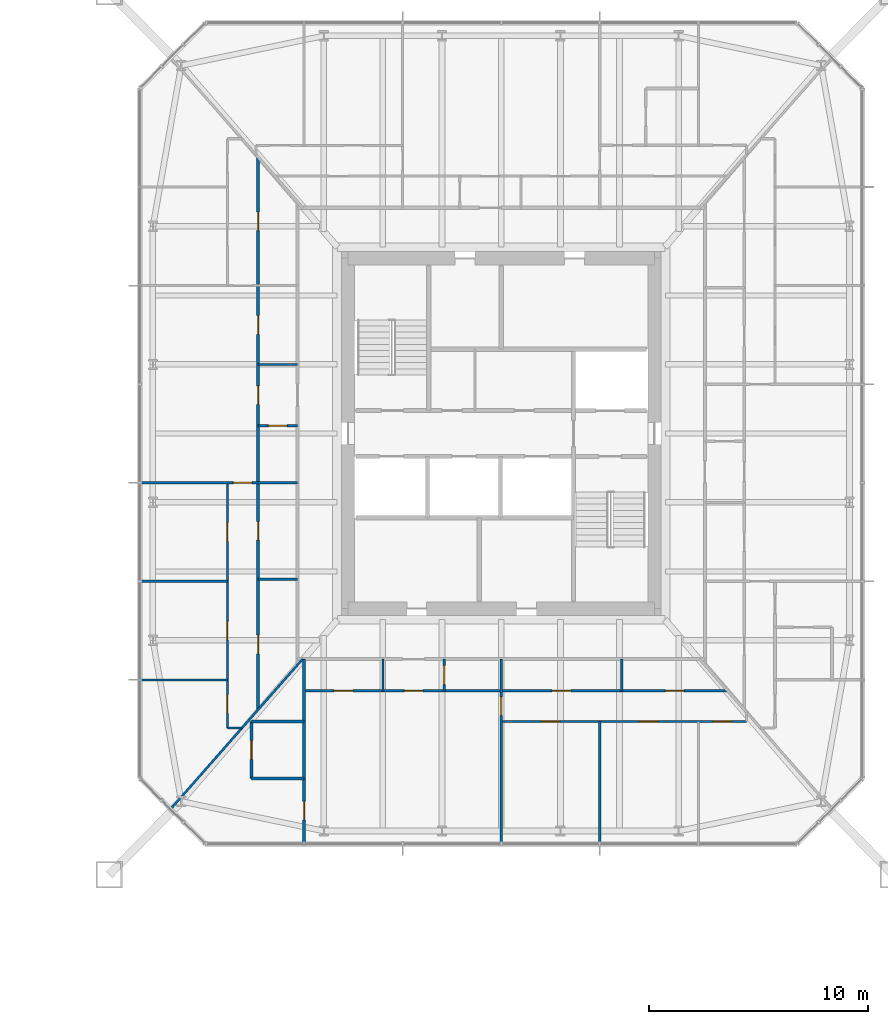
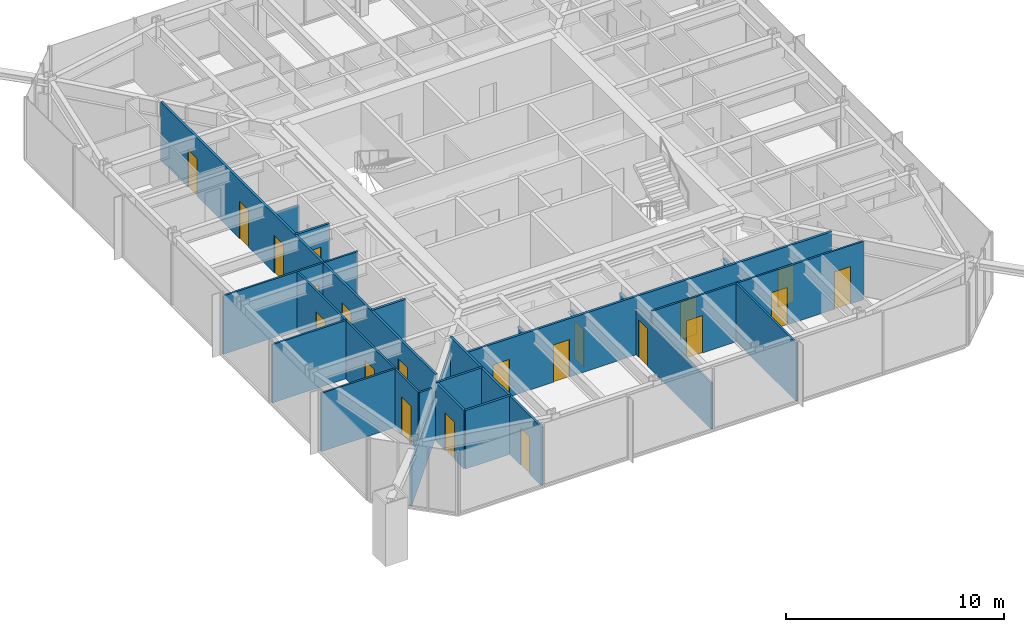
# One storey, part 18 of 26: 21 doors, 21 walls, 21 openings.
"""IFC4 building model written with IfcOpenShell, lengths in metres."""

from ifc_helpers import new_model, si_unit, direction, frame, frame_2d, origin, place, context, subcontext, project, spatial, rectangle, extrude, material, layer, layer_set, type_object, element, fill, save


model = new_model("IFC4")

# Units and contexts
model_context = context("Model", 3, precision=1e-05, world=origin(), true_north=direction((0.0, 1.0)))
body_context = subcontext(model_context, "Body", "Model", "MODEL_VIEW")
ifc_project = project(units=[si_unit("LENGTHUNIT", "METRE"), si_unit("AREAUNIT", "SQUARE_METRE"), si_unit("VOLUMEUNIT", "CUBIC_METRE"), si_unit("PLANEANGLEUNIT", "RADIAN"), si_unit("MASSUNIT", "GRAM", prefix="KILO")], contexts=[model_context])

# Site, building, storey
site_placement = place(None, origin())
site = spatial("IfcSite", under=ifc_project, at=site_placement, CompositionType="ELEMENT")
building_placement = place(site_placement, origin())
building = spatial("IfcBuilding", under=site, at=building_placement, Name="Iwan Alto Co-Living Towers", CompositionType="ELEMENT")
storey_placement = place(building_placement, frame((0.0, 0.0, 32.5)))
storey = spatial("IfcBuildingStorey", under=building, at=storey_placement, Name="L08", CompositionType="ELEMENT", Elevation=32.5)

# Wall
ifc_material_1 = material(Name="Gypsum board")
ifc_layer_1 = layer(ifc_material_1, 0.012451171875, Name="Board", Category="Finish")
ifc_material_2 = material(Name="Steel ASTM A1003 ST33H cold-formed studs", Category="steel")
ifc_layer_2 = layer(ifc_material_2, 0.074951171875, Name="Studs", Category="Framing")
ifc_layer_3 = layer(ifc_material_1, 0.012451171875, Name="Board", Category="Finish")
ifc_layer_set_1 = layer_set([ifc_layer_1, ifc_layer_2, ifc_layer_3], Name="PARTITION 100")
wall_type_1 = type_object("IfcWallType", Name="PARTITION 100", PredefinedType="PARTITIONING", material=ifc_layer_set_1)
wall_1_placement = place(storey_placement, frame((50.5, -13.449951171875, 0.0), z_axis=(0.0, 0.0, 1.0), x_axis=(1.0, 0.0, 0.0)))
element("IfcWall", 1, at=wall_1_placement, inside=storey, type_object=wall_type_1, Name="Partition L08", PredefinedType="PARTITIONING", context=body_context, shape_type="SweptSolid", body=[
    extrude(rectangle(XDim=0.6640625, YDim=0.10009765625, at=frame_2d((0.33203125, 0.0))), origin(), (0.0, 0.0, 1.0), 3.27001953125),
])

# Wall, openings, doors
wall_2_placement = place(storey_placement, frame((63.0, -13.14990234375, 0.0), z_axis=(0.0, 0.0, 1.0), x_axis=(1.0, 0.0, 0.0)))
wall_2 = element("IfcWall", 2, at=wall_2_placement, inside=storey, type_object=wall_type_1, Name="Partition L08", PredefinedType="PARTITIONING", context=body_context, shape_type="SweptSolid", body=[
    extrude(rectangle(XDim=11.199951171875, YDim=0.10009765625, at=frame_2d((5.60009765625, 0.0))), origin(), (0.0, 0.0, 1.0), 3.27001953125),
])
opening_1_placement = place(wall_2_placement, frame((1.824951171875, 0.0, 0.0)))
opening_1 = element("IfcOpeningElement", 3, at=opening_1_placement, cuts=wall_2, Name="Opening D2", PredefinedType="OPENING", context=body_context, shape_type="SweptSolid", body=[
    extrude(rectangle(XDim=0.85009765625, YDim=2.10009765625, at=frame_2d((0.425048828125, 1.050048828125))), frame((0.0, 0.06005859375, 0.0), z_axis=(0.0, -1.0, 0.0), x_axis=(1.0, 0.0, 0.0)), (0.0, 0.0, 1.0), 0.1201171875),
])
opening_2_placement = place(wall_2_placement, frame((6.324951171875, 0.0, 0.0)))
opening_2 = element("IfcOpeningElement", 4, at=opening_2_placement, cuts=wall_2, Name="Opening D2", PredefinedType="OPENING", context=body_context, shape_type="SweptSolid", body=[
    extrude(rectangle(XDim=0.85009765625, YDim=2.10009765625, at=frame_2d((0.425048828125, 1.050048828125))), frame((0.0, 0.06005859375, 0.0), z_axis=(0.0, -1.0, 0.0), x_axis=(1.0, 0.0, 0.0)), (0.0, 0.0, 1.0), 0.1201171875),
])
opening_3_placement = place(wall_2_placement, frame((9.675048828125, 0.0, 0.0)))
opening_3 = element("IfcOpeningElement", 5, at=opening_3_placement, cuts=wall_2, Name="Opening D2", PredefinedType="OPENING", context=body_context, shape_type="SweptSolid", body=[
    extrude(rectangle(XDim=0.85009765625, YDim=2.10009765625, at=frame_2d((0.425048828125, 1.050048828125))), frame((0.0, 0.06005859375, 0.0), z_axis=(0.0, -1.0, 0.0), x_axis=(1.0, 0.0, 0.0)), (0.0, 0.0, 1.0), 0.1201171875),
])
ifc_material_3 = material(Name="Timber leaf in steel frame", Category="steel")
door_type = type_object("IfcDoorType", Name="ROOM DOOR 850X2100", OperationType="SINGLE_SWING_LEFT", PredefinedType="DOOR", material=ifc_material_3)
door_1_placement = place(opening_1_placement, frame((0.85009765625, 0.0, 0.0), z_axis=(0.0, 0.0, 1.0), x_axis=(-1.0, 0.0, 0.0)))
door_1 = element("IfcDoor", 6, at=door_1_placement, inside=storey, type_object=door_type, Name="Bedroom door L08", OperationType="SINGLE_SWING_RIGHT", OverallHeight=2.10009765625, OverallWidth=0.85009765625, PredefinedType="DOOR", context=body_context, shape_type="SweptSolid", body=[
    extrude(rectangle(XDim=0.85009765625, YDim=2.10009765625, at=frame_2d((0.425048828125, 1.050048828125))), frame((0.0, 0.02490234375, 0.0), z_axis=(0.0, -1.0, 0.0), x_axis=(1.0, 0.0, 0.0)), (0.0, 0.0, 1.0), 0.050048828125),
])
fill(opening_1, door_1)
door_2_placement = place(opening_2_placement, frame((0.85009765625, 0.0, 0.0), z_axis=(0.0, 0.0, 1.0), x_axis=(-1.0, 0.0, 0.0)))
door_2 = element("IfcDoor", 7, at=door_2_placement, inside=storey, type_object=door_type, Name="Study door L08", OperationType="SINGLE_SWING_RIGHT", OverallHeight=2.10009765625, OverallWidth=0.85009765625, PredefinedType="DOOR", context=body_context, shape_type="SweptSolid", body=[
    extrude(rectangle(XDim=0.85009765625, YDim=2.10009765625, at=frame_2d((0.425048828125, 1.050048828125))), frame((0.0, 0.02490234375, 0.0), z_axis=(0.0, -1.0, 0.0), x_axis=(1.0, 0.0, 0.0)), (0.0, 0.0, 1.0), 0.050048828125),
])
fill(opening_2, door_2)
door_3_placement = place(opening_3_placement, frame((0.85009765625, 0.0, 0.0), z_axis=(0.0, 0.0, 1.0), x_axis=(-1.0, 0.0, 0.0)))
door_3 = element("IfcDoor", 8, at=door_3_placement, inside=storey, type_object=door_type, Name="Bedroom door L08", OperationType="SINGLE_SWING_RIGHT", OverallHeight=2.10009765625, OverallWidth=0.85009765625, PredefinedType="DOOR", context=body_context, shape_type="SweptSolid", body=[
    extrude(rectangle(XDim=0.85009765625, YDim=2.10009765625, at=frame_2d((0.425048828125, 1.050048828125))), frame((0.0, 0.02490234375, 0.0), z_axis=(0.0, -1.0, 0.0), x_axis=(1.0, 0.0, 0.0)), (0.0, 0.0, 1.0), 0.050048828125),
])
fill(opening_3, door_3)

# Walls
for number, where, z_axis, x_axis, name in (
    (9, (46.56005859375, -11.25, 0.0), (0.0, 0.0, 1.0), (1.0, 0.0, 0.0), "Partition L08"),
    (10, (46.56005859375, -6.75, 0.0), (0.0, 0.0, 1.0), (1.0, 0.0, 0.0), "Partition L08"),
):
    element("IfcWall", number, at=place(storey_placement, frame(where, z_axis=z_axis, x_axis=x_axis)), inside=storey, type_object=wall_type_1, Name=name, PredefinedType="PARTITIONING", context=body_context, shape_type="SweptSolid", body=[
        extrude(rectangle(XDim=3.93994140625, YDim=0.10009765625, at=frame_2d((1.969970703125, 0.0))), origin(), (0.0, 0.0, 1.0), 3.27001953125),
    ])

# Wall, opening, door
wall_3_placement = place(storey_placement, frame((46.56005859375, -2.25, 0.0), z_axis=(0.0, 0.0, 1.0), x_axis=(1.0, 0.0, 0.0)))
wall_3 = element("IfcWall", 11, at=wall_3_placement, inside=storey, type_object=wall_type_1, Name="Partition L08", PredefinedType="PARTITIONING", context=body_context, shape_type="SweptSolid", body=[
    extrude(rectangle(XDim=7.139892578125, YDim=0.10009765625, at=frame_2d((3.56982421875, 0.0))), origin(), (0.0, 0.0, 1.0), 3.27001953125),
])
opening_4_placement = place(wall_3_placement, frame((4.215087890625, 0.0, 0.0)))
opening_4 = element("IfcOpeningElement", 12, at=opening_4_placement, cuts=wall_3, Name="Opening D2", PredefinedType="OPENING", context=body_context, shape_type="SweptSolid", body=[
    extrude(rectangle(XDim=0.85009765625, YDim=2.10009765625, at=frame_2d((0.425048828125, 1.050048828125))), frame((0.0, 0.06005859375, 0.0), z_axis=(0.0, -1.0, 0.0), x_axis=(1.0, 0.0, 0.0)), (0.0, 0.0, 1.0), 0.1201171875),
])
door_4_placement = place(opening_4_placement, origin())
door_4 = element("IfcDoor", 13, at=door_4_placement, inside=storey, type_object=door_type, Name="Apartment hall door L08", OperationType="SINGLE_SWING_RIGHT", OverallHeight=2.10009765625, OverallWidth=0.85009765625, PredefinedType="DOOR", context=body_context, shape_type="SweptSolid", body=[
    extrude(rectangle(XDim=0.85009765625, YDim=2.10009765625, at=frame_2d((0.425048828125, 1.050048828125))), frame((0.0, 0.02490234375, 0.0), z_axis=(0.0, -1.0, 0.0), x_axis=(1.0, 0.0, 0.0)), (0.0, 0.0, 1.0), 0.050048828125),
])
fill(opening_4, door_4)

# Walls
wall_4_placement = place(storey_placement, frame((51.89990234375, 3.14990234375, 0.0), z_axis=(0.0, 0.0, 1.0), x_axis=(1.0, 0.0, 0.0)))
element("IfcWall", 14, at=wall_4_placement, inside=storey, type_object=wall_type_1, Name="Partition L08", PredefinedType="PARTITIONING", context=body_context, shape_type="SweptSolid", body=[
    extrude(rectangle(XDim=1.800048828125, YDim=0.10009765625, at=frame_2d((0.89990234375, 0.0))), origin(), (0.0, 0.0, 1.0), 2.586669921875),
])
wall_5_placement = place(storey_placement, frame((47.944091796875, -17.10888671875, 0.0), z_axis=(0.0, 0.0, 1.0), x_axis=(0.660638210404, 0.750704439146, 0.0)))
element("IfcWall", 15, at=wall_5_placement, inside=storey, type_object=wall_type_1, Name="Partition L08", PredefinedType="PARTITIONING", context=body_context, shape_type="SweptSolid", body=[
    extrude(rectangle(XDim=9.06982421875, YDim=0.10009765625, at=frame_2d((4.534912109375, 0.0))), origin(), (0.0, 0.0, 1.0), 2.42919921875),
])
wall_6_placement = place(storey_placement, frame((67.5, -18.68994140625, 0.0), z_axis=(0.0, 0.0, 1.0), x_axis=(0.0, 1.0, 0.0)))
element("IfcWall", 16, at=wall_6_placement, inside=storey, type_object=wall_type_1, Name="Partition L08", PredefinedType="PARTITIONING", context=body_context, shape_type="SweptSolid", body=[
    extrude(rectangle(XDim=5.5400390625, YDim=0.10009765625, at=frame_2d((2.77001953125, 0.0))), origin(), (0.0, 0.0, 1.0), 3.27001953125),
])

# Wall, opening, door
wall_7_placement = place(storey_placement, frame((63.0, -18.68994140625, 0.0), z_axis=(0.0, 0.0, 1.0), x_axis=(0.0, 1.0, 0.0)))
wall_7 = element("IfcWall", 17, at=wall_7_placement, inside=storey, type_object=wall_type_1, Name="Partition L08", PredefinedType="PARTITIONING", context=body_context, shape_type="SweptSolid", body=[
    extrude(rectangle(XDim=8.389892578125, YDim=0.10009765625, at=frame_2d((4.19482421875, 0.0))), origin(), (0.0, 0.0, 1.0), 2.586669921875),
])
opening_5_placement = place(wall_7_placement, frame((5.81494140625, 0.0, 0.0)))
opening_5 = element("IfcOpeningElement", 18, at=opening_5_placement, cuts=wall_7, Name="Opening D2", PredefinedType="OPENING", context=body_context, shape_type="SweptSolid", body=[
    extrude(rectangle(XDim=0.85009765625, YDim=2.10009765625, at=frame_2d((0.425048828125, 1.050048828125))), frame((0.0, 0.06005859375, 0.0), z_axis=(0.0, -1.0, 0.0), x_axis=(1.0, 0.0, 0.0)), (0.0, 0.0, 1.0), 0.1201171875),
])
door_5_placement = place(opening_5_placement, origin())
door_5 = element("IfcDoor", 19, at=door_5_placement, inside=storey, type_object=door_type, Name="Apartment hall door L08", OperationType="SINGLE_SWING_RIGHT", OverallHeight=2.10009765625, OverallWidth=0.85009765625, PredefinedType="DOOR", context=body_context, shape_type="SweptSolid", body=[
    extrude(rectangle(XDim=0.85009765625, YDim=2.10009765625, at=frame_2d((0.425048828125, 1.050048828125))), frame((0.0, 0.02490234375, 0.0), z_axis=(0.0, -1.0, 0.0), x_axis=(1.0, 0.0, 0.0)), (0.0, 0.0, 1.0), 0.050048828125),
])
fill(opening_5, door_5)

# Wall
wall_8_placement = place(storey_placement, frame((57.60009765625, -11.75, 0.0), z_axis=(0.0, 0.0, 1.0), x_axis=(0.0, 1.0, 0.0)))
element("IfcWall", 20, at=wall_8_placement, inside=storey, type_object=wall_type_1, Name="Partition L08", PredefinedType="PARTITIONING", context=body_context, shape_type="SweptSolid", body=[
    extrude(rectangle(XDim=1.449951171875, YDim=0.10009765625, at=frame_2d((0.72509765625, 0.0))), origin(), (0.0, 0.0, 1.0), 2.586669921875),
])

# Wall, openings, doors
wall_9_placement = place(storey_placement, frame((50.5, -13.449951171875, 0.0), z_axis=(0.0, 0.0, 1.0), x_axis=(0.0, 1.0, 0.0)))
wall_9 = element("IfcWall", 21, at=wall_9_placement, inside=storey, type_object=wall_type_1, Name="Partition L08", PredefinedType="PARTITIONING", context=body_context, shape_type="SweptSolid", body=[
    extrude(rectangle(XDim=11.199951171875, YDim=0.10009765625, at=frame_2d((5.60009765625, 0.0))), origin(), (0.0, 0.0, 1.0), 3.27001953125),
])
opening_6_placement = place(wall_9_placement, frame((8.52490234375, 0.0, 0.0)))
opening_6 = element("IfcOpeningElement", 22, at=opening_6_placement, cuts=wall_9, Name="Opening D2", PredefinedType="OPENING", context=body_context, shape_type="SweptSolid", body=[
    extrude(rectangle(XDim=0.85009765625, YDim=2.10009765625, at=frame_2d((0.425048828125, 1.050048828125))), frame((0.0, 0.06005859375, 0.0), z_axis=(0.0, -1.0, 0.0), x_axis=(1.0, 0.0, 0.0)), (0.0, 0.0, 1.0), 0.1201171875),
])
opening_7_placement = place(wall_9_placement, frame((4.02490234375, 0.0, 0.0)))
opening_7 = element("IfcOpeningElement", 23, at=opening_7_placement, cuts=wall_9, Name="Opening D2", PredefinedType="OPENING", context=body_context, shape_type="SweptSolid", body=[
    extrude(rectangle(XDim=0.85009765625, YDim=2.10009765625, at=frame_2d((0.425048828125, 1.050048828125))), frame((0.0, 0.06005859375, 0.0), z_axis=(0.0, -1.0, 0.0), x_axis=(1.0, 0.0, 0.0)), (0.0, 0.0, 1.0), 0.1201171875),
])
opening_8_placement = place(wall_9_placement, frame((0.675048828125, 0.0, 0.0)))
opening_8 = element("IfcOpeningElement", 24, at=opening_8_placement, cuts=wall_9, Name="Opening D2", PredefinedType="OPENING", context=body_context, shape_type="SweptSolid", body=[
    extrude(rectangle(XDim=0.85009765625, YDim=2.10009765625, at=frame_2d((0.425048828125, 1.050048828125))), frame((0.0, 0.06005859375, 0.0), z_axis=(0.0, -1.0, 0.0), x_axis=(1.0, 0.0, 0.0)), (0.0, 0.0, 1.0), 0.1201171875),
])
door_6_placement = place(opening_6_placement, origin())
door_6 = element("IfcDoor", 25, at=door_6_placement, inside=storey, type_object=door_type, Name="Family room door L08", OperationType="SINGLE_SWING_LEFT", OverallHeight=2.10009765625, OverallWidth=0.85009765625, PredefinedType="DOOR", context=body_context, shape_type="SweptSolid", body=[
    extrude(rectangle(XDim=0.85009765625, YDim=2.10009765625, at=frame_2d((0.425048828125, 1.050048828125))), frame((0.0, 0.02490234375, 0.0), z_axis=(0.0, -1.0, 0.0), x_axis=(1.0, 0.0, 0.0)), (0.0, 0.0, 1.0), 0.050048828125),
])
fill(opening_6, door_6)
door_7_placement = place(opening_7_placement, origin())
door_7 = element("IfcDoor", 26, at=door_7_placement, inside=storey, type_object=door_type, Name="Bedroom door L08", OperationType="SINGLE_SWING_LEFT", OverallHeight=2.10009765625, OverallWidth=0.85009765625, PredefinedType="DOOR", context=body_context, shape_type="SweptSolid", body=[
    extrude(rectangle(XDim=0.85009765625, YDim=2.10009765625, at=frame_2d((0.425048828125, 1.050048828125))), frame((0.0, 0.02490234375, 0.0), z_axis=(0.0, -1.0, 0.0), x_axis=(1.0, 0.0, 0.0)), (0.0, 0.0, 1.0), 0.050048828125),
])
fill(opening_7, door_7)
door_8_placement = place(opening_8_placement, origin())
door_8 = element("IfcDoor", 27, at=door_8_placement, inside=storey, type_object=door_type, Name="Bedroom door L08", OperationType="SINGLE_SWING_RIGHT", OverallHeight=2.10009765625, OverallWidth=0.85009765625, PredefinedType="DOOR", context=body_context, shape_type="SweptSolid", body=[
    extrude(rectangle(XDim=0.85009765625, YDim=2.10009765625, at=frame_2d((0.425048828125, 1.050048828125))), frame((0.0, 0.02490234375, 0.0), z_axis=(0.0, -1.0, 0.0), x_axis=(1.0, 0.0, 0.0)), (0.0, 0.0, 1.0), 0.050048828125),
])
fill(opening_8, door_8)

# Walls
ifc_material_4 = material(Name="Cement board")
ifc_layer_4 = layer(ifc_material_4, 0.012451171875, Name="Board", Category="Finish")
ifc_layer_5 = layer(ifc_material_2, 0.094970703125, Name="Studs", Category="Framing")
ifc_layer_6 = layer(ifc_material_4, 0.012451171875, Name="Board", Category="Finish")
ifc_layer_set_2 = layer_set([ifc_layer_4, ifc_layer_5, ifc_layer_6], Name="WET AREA PARTITION 120")
wall_type_2 = type_object("IfcWallType", Name="WET AREA PARTITION 120", PredefinedType="PARTITIONING", material=ifc_layer_set_2)
for number, where, z_axis, x_axis, name in (
    (28, (51.60009765625, -15.75, 0.0), (0.0, 0.0, 1.0), (1.0, 0.0, 0.0), "Partition L08"),
    (29, (51.60009765625, -13.14990234375, 0.0), (0.0, 0.0, 1.0), (1.0, 0.0, 0.0), "Partition L08"),
):
    element("IfcWall", number, at=place(storey_placement, frame(where, z_axis=z_axis, x_axis=x_axis)), inside=storey, type_object=wall_type_2, Name=name, PredefinedType="PARTITIONING", context=body_context, shape_type="SweptSolid", body=[
        extrude(rectangle(XDim=2.39990234375, YDim=0.1201171875, at=frame_2d((1.199951171875, 0.0))), origin(), (0.0, 0.0, 1.0), 3.27001953125),
    ])

# Wall, openings, doors
wall_10_placement = place(storey_placement, frame((54.0, -11.75, 0.0), z_axis=(0.0, 0.0, 1.0), x_axis=(1.0, 0.0, 0.0)))
wall_10 = element("IfcWall", 30, at=wall_10_placement, inside=storey, type_object=wall_type_2, Name="Partition L08", PredefinedType="PARTITIONING", context=body_context, shape_type="SweptSolid", body=[
    extrude(rectangle(XDim=19.340087890625, YDim=0.1201171875, at=frame_2d((9.669921875, 0.0))), origin(), (0.0, 0.0, 1.0), 3.27001953125),
])
opening_9_placement = place(wall_10_placement, frame((1.375, 0.0, 0.0)))
opening_9 = element("IfcOpeningElement", 31, at=opening_9_placement, cuts=wall_10, Name="Opening D2", PredefinedType="OPENING", context=body_context, shape_type="SweptSolid", body=[
    extrude(rectangle(XDim=0.85009765625, YDim=2.10009765625, at=frame_2d((0.425048828125, 1.050048828125))), frame((0.0, 0.070068359375, 0.0), z_axis=(0.0, -1.0, 0.0), x_axis=(1.0, 0.0, 0.0)), (0.0, 0.0, 1.0), 0.14013671875),
])
opening_10_placement = place(wall_10_placement, frame((4.574951171875, 0.0, 0.0)))
opening_10 = element("IfcOpeningElement", 32, at=opening_10_placement, cuts=wall_10, Name="Opening D2", PredefinedType="OPENING", context=body_context, shape_type="SweptSolid", body=[
    extrude(rectangle(XDim=0.85009765625, YDim=2.10009765625, at=frame_2d((0.425048828125, 1.050048828125))), frame((0.0, 0.070068359375, 0.0), z_axis=(0.0, -1.0, 0.0), x_axis=(1.0, 0.0, 0.0)), (0.0, 0.0, 1.0), 0.14013671875),
])
opening_11_placement = place(wall_10_placement, frame((11.324951171875, 0.0, 0.0)))
opening_11 = element("IfcOpeningElement", 33, at=opening_11_placement, cuts=wall_10, Name="Opening D2", PredefinedType="OPENING", context=body_context, shape_type="SweptSolid", body=[
    extrude(rectangle(XDim=0.85009765625, YDim=2.10009765625, at=frame_2d((0.425048828125, 1.050048828125))), frame((0.0, 0.070068359375, 0.0), z_axis=(0.0, -1.0, 0.0), x_axis=(1.0, 0.0, 0.0)), (0.0, 0.0, 1.0), 0.14013671875),
])
opening_12_placement = place(wall_10_placement, frame((16.4951171875, 0.0, 0.0)))
opening_12 = element("IfcOpeningElement", 34, at=opening_12_placement, cuts=wall_10, Name="Opening D2", PredefinedType="OPENING", context=body_context, shape_type="SweptSolid", body=[
    extrude(rectangle(XDim=0.85009765625, YDim=2.10009765625, at=frame_2d((0.425048828125, 1.050048828125))), frame((0.0, 0.070068359375, 0.0), z_axis=(0.0, -1.0, 0.0), x_axis=(1.0, 0.0, 0.0)), (0.0, 0.0, 1.0), 0.14013671875),
])
door_9_placement = place(opening_9_placement, frame((0.85009765625, 0.0, 0.0), z_axis=(0.0, 0.0, 1.0), x_axis=(-1.0, 0.0, 0.0)))
door_9 = element("IfcDoor", 35, at=door_9_placement, inside=storey, type_object=door_type, Name="Kitchen door L08", OperationType="SINGLE_SWING_RIGHT", OverallHeight=2.10009765625, OverallWidth=0.85009765625, PredefinedType="DOOR", context=body_context, shape_type="SweptSolid", body=[
    extrude(rectangle(XDim=0.85009765625, YDim=2.10009765625, at=frame_2d((0.425048828125, 1.050048828125))), frame((0.0, 0.02490234375, 0.0), z_axis=(0.0, -1.0, 0.0), x_axis=(1.0, 0.0, 0.0)), (0.0, 0.0, 1.0), 0.050048828125),
])
fill(opening_9, door_9)
door_10_placement = place(opening_10_placement, frame((0.85009765625, 0.0, 0.0), z_axis=(0.0, 0.0, 1.0), x_axis=(-1.0, 0.0, 0.0)))
door_10 = element("IfcDoor", 36, at=door_10_placement, inside=storey, type_object=door_type, Name="Apartment foyer door L08", OperationType="SINGLE_SWING_LEFT", OverallHeight=2.10009765625, OverallWidth=0.85009765625, PredefinedType="DOOR", context=body_context, shape_type="SweptSolid", body=[
    extrude(rectangle(XDim=0.85009765625, YDim=2.10009765625, at=frame_2d((0.425048828125, 1.050048828125))), frame((0.0, 0.02490234375, 0.0), z_axis=(0.0, -1.0, 0.0), x_axis=(1.0, 0.0, 0.0)), (0.0, 0.0, 1.0), 0.050048828125),
])
fill(opening_10, door_10)
door_11_placement = place(opening_11_placement, origin())
door_11 = element("IfcDoor", 37, at=door_11_placement, inside=storey, type_object=door_type, Name="Utility room door L08", OperationType="SINGLE_SWING_LEFT", OverallHeight=2.10009765625, OverallWidth=0.85009765625, PredefinedType="DOOR", context=body_context, shape_type="SweptSolid", body=[
    extrude(rectangle(XDim=0.85009765625, YDim=2.10009765625, at=frame_2d((0.425048828125, 1.050048828125))), frame((0.0, 0.02490234375, 0.0), z_axis=(0.0, -1.0, 0.0), x_axis=(1.0, 0.0, 0.0)), (0.0, 0.0, 1.0), 0.050048828125),
])
fill(opening_11, door_11)
door_12_placement = place(opening_12_placement, origin())
door_12 = element("IfcDoor", 38, at=door_12_placement, inside=storey, type_object=door_type, Name="Store room door L08", OperationType="SINGLE_SWING_RIGHT", OverallHeight=2.10009765625, OverallWidth=0.85009765625, PredefinedType="DOOR", context=body_context, shape_type="SweptSolid", body=[
    extrude(rectangle(XDim=0.85009765625, YDim=2.10009765625, at=frame_2d((0.425048828125, 1.050048828125))), frame((0.0, 0.02490234375, 0.0), z_axis=(0.0, -1.0, 0.0), x_axis=(1.0, 0.0, 0.0)), (0.0, 0.0, 1.0), 0.050048828125),
])
fill(opening_12, door_12)

# Wall
wall_11_placement = place(storey_placement, frame((51.89990234375, -6.64990234375, 0.0), z_axis=(0.0, 0.0, 1.0), x_axis=(1.0, 0.0, 0.0)))
element("IfcWall", 39, at=wall_11_placement, inside=storey, type_object=wall_type_2, Name="Partition L08", PredefinedType="PARTITIONING", context=body_context, shape_type="SweptSolid", body=[
    extrude(rectangle(XDim=1.800048828125, YDim=0.1201171875, at=frame_2d((0.89990234375, 0.0))), origin(), (0.0, 0.0, 1.0), 3.27001953125),
])

# Wall, opening, door
wall_12_placement = place(storey_placement, frame((51.89990234375, 0.35009765625, 0.0), z_axis=(0.0, 0.0, 1.0), x_axis=(1.0, 0.0, 0.0)))
wall_12 = element("IfcWall", 40, at=wall_12_placement, inside=storey, type_object=wall_type_2, Name="Partition L08", PredefinedType="PARTITIONING", context=body_context, shape_type="SweptSolid", body=[
    extrude(rectangle(XDim=1.800048828125, YDim=0.1201171875, at=frame_2d((0.89990234375, 0.0))), origin(), (0.0, 0.0, 1.0), 3.27001953125),
])
opening_13_placement = place(wall_12_placement, frame((0.47509765625, 0.0, 0.0)))
opening_13 = element("IfcOpeningElement", 41, at=opening_13_placement, cuts=wall_12, Name="Opening D2", PredefinedType="OPENING", context=body_context, shape_type="SweptSolid", body=[
    extrude(rectangle(XDim=0.85009765625, YDim=2.10009765625, at=frame_2d((0.425048828125, 1.050048828125))), frame((0.0, 0.070068359375, 0.0), z_axis=(0.0, -1.0, 0.0), x_axis=(1.0, 0.0, 0.0)), (0.0, 0.0, 1.0), 0.14013671875),
])
door_13_placement = place(opening_13_placement, frame((0.85009765625, 0.0, 0.0), z_axis=(0.0, 0.0, 1.0), x_axis=(-1.0, 0.0, 0.0)))
door_13 = element("IfcDoor", 42, at=door_13_placement, inside=storey, type_object=door_type, Name="Bathroom door L08", OperationType="SINGLE_SWING_RIGHT", OverallHeight=2.10009765625, OverallWidth=0.85009765625, PredefinedType="DOOR", context=body_context, shape_type="SweptSolid", body=[
    extrude(rectangle(XDim=0.85009765625, YDim=2.10009765625, at=frame_2d((0.425048828125, 1.050048828125))), frame((0.0, 0.02490234375, 0.0), z_axis=(0.0, -1.0, 0.0), x_axis=(1.0, 0.0, 0.0)), (0.0, 0.0, 1.0), 0.050048828125),
])
fill(opening_13, door_13)

# Wall
wall_13_placement = place(storey_placement, frame((68.5, -11.75, 0.0), z_axis=(0.0, 0.0, 1.0), x_axis=(0.0, 1.0, 0.0)))
element("IfcWall", 43, at=wall_13_placement, inside=storey, type_object=wall_type_2, Name="Partition L08", PredefinedType="PARTITIONING", context=body_context, shape_type="SweptSolid", body=[
    extrude(rectangle(XDim=1.449951171875, YDim=0.1201171875, at=frame_2d((0.72509765625, 0.0))), origin(), (0.0, 0.0, 1.0), 2.586669921875),
])

# Wall, opening, door
wall_14_placement = place(storey_placement, frame((60.39990234375, -11.75, 0.0), z_axis=(0.0, 0.0, 1.0), x_axis=(0.0, 1.0, 0.0)))
wall_14 = element("IfcWall", 44, at=wall_14_placement, inside=storey, type_object=wall_type_2, Name="Partition L08", PredefinedType="PARTITIONING", context=body_context, shape_type="SweptSolid", body=[
    extrude(rectangle(XDim=1.449951171875, YDim=0.1201171875, at=frame_2d((0.72509765625, 0.0))), origin(), (0.0, 0.0, 1.0), 2.508056640625),
])
opening_14_placement = place(wall_14_placement, frame((0.300048828125, 0.0, 0.0)))
opening_14 = element("IfcOpeningElement", 45, at=opening_14_placement, cuts=wall_14, Name="Opening D2", PredefinedType="OPENING", context=body_context, shape_type="SweptSolid", body=[
    extrude(rectangle(XDim=0.85009765625, YDim=2.10009765625, at=frame_2d((0.425048828125, 1.050048828125))), frame((0.0, 0.070068359375, 0.0), z_axis=(0.0, -1.0, 0.0), x_axis=(1.0, 0.0, 0.0)), (0.0, 0.0, 1.0), 0.14013671875),
])
door_14_placement = place(opening_14_placement, frame((0.85009765625, 0.0, 0.0), z_axis=(0.0, 0.0, 1.0), x_axis=(-1.0, 0.0, 0.0)))
door_14 = element("IfcDoor", 46, at=door_14_placement, inside=storey, type_object=door_type, Name="Shower room door L08", OperationType="SINGLE_SWING_RIGHT", OverallHeight=2.10009765625, OverallWidth=0.85009765625, PredefinedType="DOOR", context=body_context, shape_type="SweptSolid", body=[
    extrude(rectangle(XDim=0.85009765625, YDim=2.10009765625, at=frame_2d((0.425048828125, 1.050048828125))), frame((0.0, 0.02490234375, 0.0), z_axis=(0.0, -1.0, 0.0), x_axis=(1.0, 0.0, 0.0)), (0.0, 0.0, 1.0), 0.050048828125),
])
fill(opening_14, door_14)

wall_15_placement = place(storey_placement, frame((54.0, -18.68994140625, 0.0), z_axis=(0.0, 0.0, 1.0), x_axis=(0.0, 1.0, 0.0)))
wall_15 = element("IfcWall", 47, at=wall_15_placement, inside=storey, type_object=wall_type_2, Name="Partition L08", PredefinedType="PARTITIONING", context=body_context, shape_type="SweptSolid", body=[
    extrude(rectangle(XDim=8.389892578125, YDim=0.1201171875, at=frame_2d((4.19482421875, 0.0))), origin(), (0.0, 0.0, 1.0), 3.27001953125),
])
opening_15_placement = place(wall_15_placement, frame((1.044921875, 0.0, 0.0)))
opening_15 = element("IfcOpeningElement", 48, at=opening_15_placement, cuts=wall_15, Name="Opening D2", PredefinedType="OPENING", context=body_context, shape_type="SweptSolid", body=[
    extrude(rectangle(XDim=0.85009765625, YDim=2.10009765625, at=frame_2d((0.425048828125, 1.050048828125))), frame((0.0, 0.070068359375, 0.0), z_axis=(0.0, -1.0, 0.0), x_axis=(1.0, 0.0, 0.0)), (0.0, 0.0, 1.0), 0.14013671875),
])
door_15_placement = place(opening_15_placement, frame((0.85009765625, 0.0, 0.0), z_axis=(0.0, 0.0, 1.0), x_axis=(-1.0, 0.0, 0.0)))
door_15 = element("IfcDoor", 49, at=door_15_placement, inside=storey, type_object=door_type, Name="Bedroom door L08", OperationType="SINGLE_SWING_RIGHT", OverallHeight=2.10009765625, OverallWidth=0.85009765625, PredefinedType="DOOR", context=body_context, shape_type="SweptSolid", body=[
    extrude(rectangle(XDim=0.85009765625, YDim=2.10009765625, at=frame_2d((0.425048828125, 1.050048828125))), frame((0.0, 0.02490234375, 0.0), z_axis=(0.0, -1.0, 0.0), x_axis=(1.0, 0.0, 0.0)), (0.0, 0.0, 1.0), 0.050048828125),
])
fill(opening_15, door_15)

# Wall, openings, doors
wall_16_placement = place(storey_placement, frame((51.89990234375, -12.614013671875, 0.0), z_axis=(0.0, 0.0, 1.0), x_axis=(0.0, 1.0, 0.0)))
wall_16 = element("IfcWall", 50, at=wall_16_placement, inside=storey, type_object=wall_type_2, Name="Partition L08", PredefinedType="PARTITIONING", context=body_context, shape_type="SweptSolid", body=[
    extrude(rectangle(XDim=25.22802734375, YDim=0.1201171875, at=frame_2d((12.614013671875, 0.0))), origin(), (0.0, 0.0, 1.0), 3.27001953125),
])
opening_16_placement = place(wall_16_placement, frame((17.138916015625, 0.0, 0.0)))
opening_16 = element("IfcOpeningElement", 51, at=opening_16_placement, cuts=wall_16, Name="Opening D2", PredefinedType="OPENING", context=body_context, shape_type="SweptSolid", body=[
    extrude(rectangle(XDim=0.85009765625, YDim=2.10009765625, at=frame_2d((0.425048828125, 1.050048828125))), frame((0.0, 0.070068359375, 0.0), z_axis=(0.0, -1.0, 0.0), x_axis=(1.0, 0.0, 0.0)), (0.0, 0.0, 1.0), 0.14013671875),
])
opening_17_placement = place(wall_16_placement, frame((13.93896484375, 0.0, 0.0)))
opening_17 = element("IfcOpeningElement", 52, at=opening_17_placement, cuts=wall_16, Name="Opening D2", PredefinedType="OPENING", context=body_context, shape_type="SweptSolid", body=[
    extrude(rectangle(XDim=0.85009765625, YDim=2.10009765625, at=frame_2d((0.425048828125, 1.050048828125))), frame((0.0, 0.070068359375, 0.0), z_axis=(0.0, -1.0, 0.0), x_axis=(1.0, 0.0, 0.0)), (0.0, 0.0, 1.0), 0.14013671875),
])
opening_18_placement = place(wall_16_placement, frame((21.87109375, 0.0, 0.0)))
opening_18 = element("IfcOpeningElement", 53, at=opening_18_placement, cuts=wall_16, Name="Opening D2", PredefinedType="OPENING", context=body_context, shape_type="SweptSolid", body=[
    extrude(rectangle(XDim=0.85009765625, YDim=2.10009765625, at=frame_2d((0.425048828125, 1.050048828125))), frame((0.0, 0.070068359375, 0.0), z_axis=(0.0, -1.0, 0.0), x_axis=(1.0, 0.0, 0.0)), (0.0, 0.0, 1.0), 0.14013671875),
])
opening_19_placement = place(wall_16_placement, frame((7.739013671875, 0.0, 0.0)))
opening_19 = element("IfcOpeningElement", 54, at=opening_19_placement, cuts=wall_16, Name="Opening D2", PredefinedType="OPENING", context=body_context, shape_type="SweptSolid", body=[
    extrude(rectangle(XDim=0.85009765625, YDim=2.10009765625, at=frame_2d((0.425048828125, 1.050048828125))), frame((0.0, 0.070068359375, 0.0), z_axis=(0.0, -1.0, 0.0), x_axis=(1.0, 0.0, 0.0)), (0.0, 0.0, 1.0), 0.14013671875),
])
opening_20_placement = place(wall_16_placement, frame((2.556884765625, 0.0, 0.0)))
opening_20 = element("IfcOpeningElement", 55, at=opening_20_placement, cuts=wall_16, Name="Opening D2", PredefinedType="OPENING", context=body_context, shape_type="SweptSolid", body=[
    extrude(rectangle(XDim=0.85009765625, YDim=2.10009765625, at=frame_2d((0.425048828125, 1.050048828125))), frame((0.0, 0.070068359375, 0.0), z_axis=(0.0, -1.0, 0.0), x_axis=(1.0, 0.0, 0.0)), (0.0, 0.0, 1.0), 0.14013671875),
])
door_16_placement = place(opening_16_placement, origin())
door_16 = element("IfcDoor", 56, at=door_16_placement, inside=storey, type_object=door_type, Name="Kitchen door L08", OperationType="SINGLE_SWING_RIGHT", OverallHeight=2.10009765625, OverallWidth=0.85009765625, PredefinedType="DOOR", context=body_context, shape_type="SweptSolid", body=[
    extrude(rectangle(XDim=0.85009765625, YDim=2.10009765625, at=frame_2d((0.425048828125, 1.050048828125))), frame((0.0, 0.02490234375, 0.0), z_axis=(0.0, -1.0, 0.0), x_axis=(1.0, 0.0, 0.0)), (0.0, 0.0, 1.0), 0.050048828125),
])
fill(opening_16, door_16)
door_17_placement = place(opening_17_placement, origin())
door_17 = element("IfcDoor", 57, at=door_17_placement, inside=storey, type_object=door_type, Name="Apartment foyer door L08", OperationType="SINGLE_SWING_LEFT", OverallHeight=2.10009765625, OverallWidth=0.85009765625, PredefinedType="DOOR", context=body_context, shape_type="SweptSolid", body=[
    extrude(rectangle(XDim=0.85009765625, YDim=2.10009765625, at=frame_2d((0.425048828125, 1.050048828125))), frame((0.0, 0.02490234375, 0.0), z_axis=(0.0, -1.0, 0.0), x_axis=(1.0, 0.0, 0.0)), (0.0, 0.0, 1.0), 0.050048828125),
])
fill(opening_17, door_17)
door_18_placement = place(opening_18_placement, frame((0.85009765625, 0.0, 0.0), z_axis=(0.0, 0.0, 1.0), x_axis=(-1.0, 0.0, 0.0)))
door_18 = element("IfcDoor", 58, at=door_18_placement, inside=storey, type_object=door_type, Name="Utility room door L08", OperationType="SINGLE_SWING_LEFT", OverallHeight=2.10009765625, OverallWidth=0.85009765625, PredefinedType="DOOR", context=body_context, shape_type="SweptSolid", body=[
    extrude(rectangle(XDim=0.85009765625, YDim=2.10009765625, at=frame_2d((0.425048828125, 1.050048828125))), frame((0.0, 0.02490234375, 0.0), z_axis=(0.0, -1.0, 0.0), x_axis=(1.0, 0.0, 0.0)), (0.0, 0.0, 1.0), 0.050048828125),
])
fill(opening_18, door_18)
door_19_placement = place(opening_19_placement, frame((0.85009765625, 0.0, 0.0), z_axis=(0.0, 0.0, 1.0), x_axis=(-1.0, 0.0, 0.0)))
door_19 = element("IfcDoor", 59, at=door_19_placement, inside=storey, type_object=door_type, Name="Utility room door L08", OperationType="SINGLE_SWING_RIGHT", OverallHeight=2.10009765625, OverallWidth=0.85009765625, PredefinedType="DOOR", context=body_context, shape_type="SweptSolid", body=[
    extrude(rectangle(XDim=0.85009765625, YDim=2.10009765625, at=frame_2d((0.425048828125, 1.050048828125))), frame((0.0, 0.02490234375, 0.0), z_axis=(0.0, -1.0, 0.0), x_axis=(1.0, 0.0, 0.0)), (0.0, 0.0, 1.0), 0.050048828125),
])
fill(opening_19, door_19)
door_20_placement = place(opening_20_placement, frame((0.85009765625, 0.0, 0.0), z_axis=(0.0, 0.0, 1.0), x_axis=(-1.0, 0.0, 0.0)))
door_20 = element("IfcDoor", 60, at=door_20_placement, inside=storey, type_object=door_type, Name="Store room door L08", OperationType="SINGLE_SWING_RIGHT", OverallHeight=2.10009765625, OverallWidth=0.85009765625, PredefinedType="DOOR", context=body_context, shape_type="SweptSolid", body=[
    extrude(rectangle(XDim=0.85009765625, YDim=2.10009765625, at=frame_2d((0.425048828125, 1.050048828125))), frame((0.0, 0.02490234375, 0.0), z_axis=(0.0, -1.0, 0.0), x_axis=(1.0, 0.0, 0.0)), (0.0, 0.0, 1.0), 0.050048828125),
])
fill(opening_20, door_20)

# Wall, opening, door
wall_17_placement = place(storey_placement, frame((51.60009765625, -15.75, 0.0), z_axis=(0.0, 0.0, 1.0), x_axis=(0.0, 1.0, 0.0)))
wall_17 = element("IfcWall", 61, at=wall_17_placement, inside=storey, type_object=wall_type_2, Name="Partition L08", PredefinedType="PARTITIONING", context=body_context, shape_type="SweptSolid", body=[
    extrude(rectangle(XDim=2.60009765625, YDim=0.1201171875, at=frame_2d((1.300048828125, 0.0))), origin(), (0.0, 0.0, 1.0), 3.27001953125),
])
opening_21_placement = place(wall_17_placement, frame((0.875, 0.0, 0.0)))
opening_21 = element("IfcOpeningElement", 62, at=opening_21_placement, cuts=wall_17, Name="Opening D2", PredefinedType="OPENING", context=body_context, shape_type="SweptSolid", body=[
    extrude(rectangle(XDim=0.85009765625, YDim=2.10009765625, at=frame_2d((0.425048828125, 1.050048828125))), frame((0.0, 0.070068359375, 0.0), z_axis=(0.0, -1.0, 0.0), x_axis=(1.0, 0.0, 0.0)), (0.0, 0.0, 1.0), 0.14013671875),
])
door_21_placement = place(opening_21_placement, origin())
door_21 = element("IfcDoor", 63, at=door_21_placement, inside=storey, type_object=door_type, Name="En-suite shower room door L08", OperationType="SINGLE_SWING_RIGHT", OverallHeight=2.10009765625, OverallWidth=0.85009765625, PredefinedType="DOOR", context=body_context, shape_type="SweptSolid", body=[
    extrude(rectangle(XDim=0.85009765625, YDim=2.10009765625, at=frame_2d((0.425048828125, 1.050048828125))), frame((0.0, 0.02490234375, 0.0), z_axis=(0.0, -1.0, 0.0), x_axis=(1.0, 0.0, 0.0)), (0.0, 0.0, 1.0), 0.050048828125),
])
fill(opening_21, door_21)

save(model, "model.ifc")
